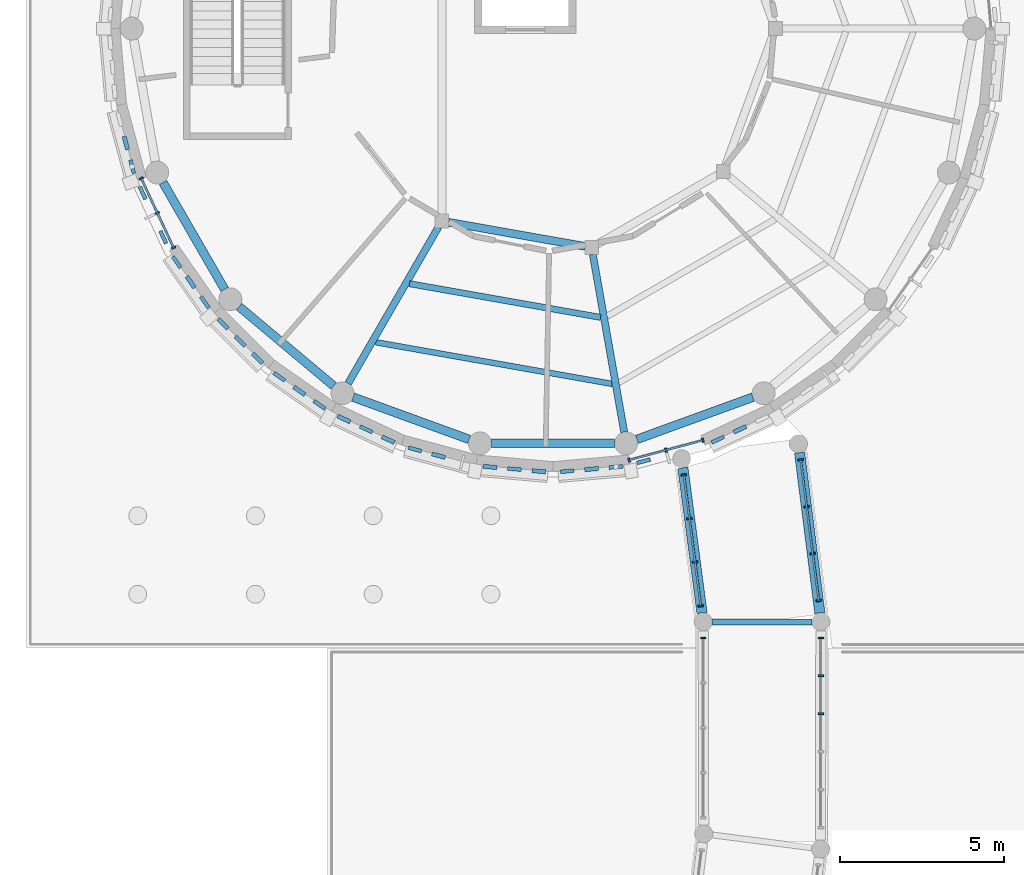
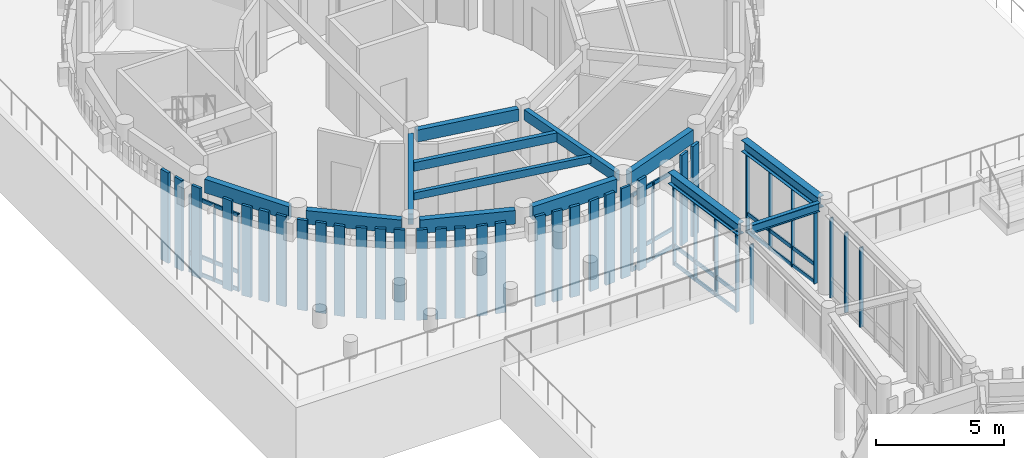
# One storey, part 20 of 94: 57 members, 13 beams, 6 elements without a shape of their own.
"""IFC4 building model written with IfcOpenShell, lengths in metres."""

from ifc_helpers import new_model, si_unit, direction, frame, origin, origin_2d, place, context, subcontext, project, spatial, rectangle, i_section, extrude, material, layer, layer_set, material_profile, profile_set, type_object, element, aggregate, save


model = new_model("IFC4")

# Units and contexts
model_context = context("Model", 3, precision=1e-05, world=origin(), true_north=direction((0.0, 1.0)))
body_context = subcontext(model_context, "Body", "Model", "MODEL_VIEW")
ifc_project = project(units=[si_unit("LENGTHUNIT", "METRE"), si_unit("AREAUNIT", "SQUARE_METRE"), si_unit("VOLUMEUNIT", "CUBIC_METRE"), si_unit("PLANEANGLEUNIT", "RADIAN"), si_unit("MASSUNIT", "GRAM", prefix="KILO")], contexts=[model_context])

# Site, building, storey
site_placement = place(None, origin())
site = spatial("IfcSite", under=ifc_project, at=site_placement, CompositionType="ELEMENT")
building_placement = place(site_placement, origin())
building = spatial("IfcBuilding", under=site, at=building_placement, Name="Aldenvaro Health Centre", CompositionType="ELEMENT")
storey_placement = place(building_placement, origin())
storey = spatial("IfcBuildingStorey", under=building, at=storey_placement, Name="L00", CompositionType="ELEMENT", Elevation=0.0)

# Beams
ifc_material_1 = material(Name="Glulam GL28h", Category="wood")
ifc_material_profile_1 = material_profile(ifc_material_1, rectangle(XDim=0.175048828125, YDim=0.35009765625, at=origin_2d()), Name="GL 175x350", Category="wood")
ifc_profile_set_1 = profile_set([ifc_material_profile_1], Name="Glulam GL28h")
beam_type_1 = type_object("IfcBeamType", Name="BM-GL-350", PredefinedType="JOIST", material=ifc_profile_set_1)
beam_1_placement = place(storey_placement, frame((13.077880859375, 89.906982421875, 4.1298828125), z_axis=(0.984808635893, -0.173643170525, 0.0), x_axis=(0.173643170525, 0.984808635893, 0.0)))
element("IfcBeam", 1, at=beam_1_placement, inside=storey, type_object=beam_type_1, Name="D4 L00 secondary joist 04.2", PredefinedType="JOIST", context=body_context, shape_type="SweptSolid", body=[
    extrude(rectangle(XDim=0.175048828125, YDim=0.35009765625, at=origin_2d()), origin(), (0.0, 0.0, 1.0), 7.34765625),
])
ifc_material_profile_2 = material_profile(ifc_material_1, rectangle(XDim=0.18994140625, YDim=0.41796875, at=origin_2d()), Name="GL 190x418", Category="wood")
ifc_profile_set_2 = profile_set([ifc_material_profile_2], Name="Glulam GL28h")
beam_type_2 = type_object("IfcBeamType", Name="BM-GL-418", PredefinedType="JOIST", material=ifc_profile_set_2)
beam_2_placement = place(storey_placement, frame((14.111083984375, 91.697021484375, 4.095947265625), z_axis=(0.98479184112, -0.173738394329, 0.0), x_axis=(0.173738394329, 0.98479184112, 0.0)))
element("IfcBeam", 2, at=beam_2_placement, inside=storey, type_object=beam_type_2, Name="D4 L00 secondary joist 04.1", PredefinedType="JOIST", context=body_context, shape_type="SweptSolid", body=[
    extrude(rectangle(XDim=0.18994140625, YDim=0.41796875, at=origin_2d()), origin(), (0.0, 0.0, 1.0), 5.934326171875),
])
ifc_material_profile_3 = material_profile(ifc_material_1, rectangle(XDim=0.215087890625, YDim=0.493896484375, at=origin_2d()), Name="GL 215x494", Category="wood")
ifc_profile_set_3 = profile_set([ifc_material_profile_3], Name="Glulam GL28h")
beam_type_3 = type_object("IfcBeamType", Name="BM-GL-494", PredefinedType="BEAM", material=ifc_profile_set_3)
beam_3_placement = place(storey_placement, frame((14.9951171875, 93.428955078125, 4.05810546875), z_axis=(-0.500035132957, -0.866005118812, 0.0), x_axis=(0.866005118812, -0.500035132957, 0.0)))
element("IfcBeam", 3, at=beam_3_placement, inside=storey, type_object=beam_type_3, Name="D4 L00 radial beam 04", PredefinedType="BEAM", context=body_context, shape_type="SweptSolid", body=[
    extrude(rectangle(XDim=0.215087890625, YDim=0.493896484375, at=origin_2d()), origin(), (0.0, 0.0, 1.0), 5.51953125),
])
beam_4_placement = place(storey_placement, frame((19.717041015625, 92.595947265625, 4.05810546875), z_axis=(0.173760098392, -0.984788011811, 0.0), x_axis=(0.984788011811, 0.173760098392, 0.0)))
element("IfcBeam", 4, at=beam_4_placement, inside=storey, type_object=beam_type_3, Name="D4 L00 radial beam 05", PredefinedType="BEAM", context=body_context, shape_type="SweptSolid", body=[
    extrude(rectangle(XDim=0.215087890625, YDim=0.493896484375, at=origin_2d()), origin(), (0.0, 0.0, 1.0), 5.51904296875),
])
ifc_material_profile_4 = material_profile(ifc_material_1, rectangle(XDim=0.239990234375, YDim=0.570068359375, at=origin_2d()), Name="GL 240x570", Category="wood")
ifc_profile_set_4 = profile_set([ifc_material_profile_4], Name="Glulam GL28h")
beam_type_4 = type_object("IfcBeamType", Name="BM-GL-570", PredefinedType="BEAM", material=ifc_profile_set_4)
beam_5_placement = place(storey_placement, frame((15.306884765625, 93.574951171875, 4.02001953125), z_axis=(0.984765548602, -0.173887360917, 0.0), x_axis=(0.173887360917, 0.984765548602, 0.0)))
element("IfcBeam", 5, at=beam_5_placement, inside=storey, type_object=beam_type_4, Name="D4 L00 inner ring beam 04", PredefinedType="BEAM", context=body_context, shape_type="SweptSolid", body=[
    extrude(rectangle(XDim=0.239990234375, YDim=0.570068359375, at=origin_2d()), origin(), (0.0, 0.0, 1.0), 4.231689453125),
])
ifc_material_profile_5 = material_profile(ifc_material_1, rectangle(XDim=0.264892578125, YDim=0.64599609375, at=origin_2d()), Name="GL 265x646", Category="wood")
ifc_profile_set_5 = profile_set([ifc_material_profile_5], Name="Glulam GL28h")
beam_type_5 = type_object("IfcBeamType", Name="BM-GL-646", PredefinedType="SPANDREL", material=ifc_profile_set_5)
beam_6_placement = place(storey_placement, frame((6.572021484375, 94.7919921875, 3.98193359375), z_axis=(0.499834477554, -0.866120947125, 0.0), x_axis=(0.866120947125, 0.499834477554, 0.0)))
element("IfcBeam", 6, at=beam_6_placement, inside=storey, type_object=beam_type_5, Name="D4 L00 perimeter spandrel 11", PredefinedType="SPANDREL", context=body_context, shape_type="SweptSolid", body=[
    extrude(rectangle(XDim=0.264892578125, YDim=0.64599609375, at=origin_2d()), origin(), (0.0, 0.0, 1.0), 3.773193359375),
])
beam_7_placement = place(storey_placement, frame((8.90087890625, 90.99609375, 3.98193359375), z_axis=(0.766159686965, -0.64265024241, 0.0), x_axis=(0.64265024241, 0.766159686965, 0.0)))
element("IfcBeam", 7, at=beam_7_placement, inside=storey, type_object=beam_type_5, Name="D4 L00 perimeter spandrel 12", PredefinedType="SPANDREL", context=body_context, shape_type="SweptSolid", body=[
    extrude(rectangle(XDim=0.264892578125, YDim=0.64599609375, at=origin_2d()), origin(), (0.0, 0.0, 1.0), 3.7734375),
])
beam_8_placement = place(storey_placement, frame((12.388916015625, 88.22607421875, 3.98193359375), z_axis=(0.939717821643, -0.341950896602, 0.0), x_axis=(0.341950896602, 0.939717821643, 0.0)))
element("IfcBeam", 8, at=beam_8_placement, inside=storey, type_object=beam_type_5, Name="D4 L00 perimeter spandrel 13", PredefinedType="SPANDREL", context=body_context, shape_type="SweptSolid", body=[
    extrude(rectangle(XDim=0.264892578125, YDim=0.64599609375, at=origin_2d()), origin(), (0.0, 0.0, 1.0), 3.772705078125),
])
beam_9_placement = place(storey_placement, frame((16.613037109375, 86.81591796875, 3.98193359375), z_axis=(1.0, 0.0, 0.0), x_axis=(0.0, 1.0, 0.0)))
element("IfcBeam", 9, at=beam_9_placement, inside=storey, type_object=beam_type_5, Name="D4 L00 perimeter spandrel 14", PredefinedType="SPANDREL", context=body_context, shape_type="SweptSolid", body=[
    extrude(rectangle(XDim=0.264892578125, YDim=0.64599609375, at=origin_2d()), origin(), (0.0, 0.0, 1.0), 3.77392578125),
])
beam_10_placement = place(storey_placement, frame((21.06591796875, 86.93603515625, 3.98193359375), z_axis=(0.939717821643, 0.341950896602, 0.0), x_axis=(-0.341950896602, 0.939717821643, 0.0)))
element("IfcBeam", 10, at=beam_10_placement, inside=storey, type_object=beam_type_5, Name="D4 L00 perimeter spandrel 15", PredefinedType="SPANDREL", context=body_context, shape_type="SweptSolid", body=[
    extrude(rectangle(XDim=0.264892578125, YDim=0.64599609375, at=origin_2d()), origin(), (0.0, 0.0, 1.0), 3.772705078125),
])
ifc_material_2 = material(Name="Steel ASTM A992 Grade 50", Category="steel")
ifc_material_profile_6 = material_profile(ifc_material_2, i_section(OverallWidth=0.180908203125, OverallDepth=0.4169921875, WebThickness=0.010986328125, FlangeThickness=0.018310546875, at=origin_2d()), Name="W16X57", Category="steel")
ifc_profile_set_6 = profile_set([ifc_material_profile_6], Name="Steel ASTM A992 Grade 50")
beam_type_6 = type_object("IfcBeamType", Name="BM-ST-W16E", PredefinedType="JOIST", material=ifc_profile_set_6)
beam_11_placement = place(storey_placement, frame((23.367919921875, 81.35693359375, 4.135986328125), z_axis=(1.0, 0.0, 0.0), x_axis=(0.0, 1.0, 0.0)))
element("IfcBeam", 11, at=beam_11_placement, inside=storey, type_object=beam_type_6, Name="West North Curved Garden Walkway Arc 2 L00 cross beam 2", PredefinedType="JOIST", context=body_context, shape_type="SweptSolid", body=[
    extrude(i_section(OverallWidth=0.180908203125, OverallDepth=0.4169921875, WebThickness=0.010986328125, FlangeThickness=0.018310546875, at=origin_2d()), origin(), (0.0, 0.0, 1.0), 3.050048828125),
])
ifc_material_profile_7 = material_profile(ifc_material_2, i_section(OverallWidth=0.31201171875, OverallDepth=0.54296875, WebThickness=0.0126953125, FlangeThickness=0.020263671875, at=origin_2d()), Name="W21X101", Category="steel")
ifc_profile_set_7 = profile_set([ifc_material_profile_7], Name="Steel ASTM A992 Grade 50")
beam_type_7 = type_object("IfcBeamType", Name="BM-ST-W21E", PredefinedType="BEAM", material=ifc_profile_set_7)
beam_12_placement = place(storey_placement, frame((23.056884765625, 81.6298828125, 4.073974609375), z_axis=(-0.130642100279, 0.991429594896, 0.0), x_axis=(-0.991429594896, -0.130642100279, 0.0)))
element("IfcBeam", 12, at=beam_12_placement, inside=storey, type_object=beam_type_7, Name="West North Curved Garden Walkway Arc 3 L00 girder L-1", PredefinedType="BEAM", context=body_context, shape_type="SweptSolid", body=[
    extrude(i_section(OverallWidth=0.31201171875, OverallDepth=0.54296875, WebThickness=0.0126953125, FlangeThickness=0.020263671875, at=origin_2d()), origin(), (0.0, 0.0, 1.0), 4.4775390625),
])
beam_13_placement = place(storey_placement, frame((26.658935546875, 81.6298828125, 4.073974609375), z_axis=(-0.125330720713, 0.992115018758, 0.0), x_axis=(-0.992115018758, -0.125330720713, 0.0)))
element("IfcBeam", 13, at=beam_13_placement, inside=storey, type_object=beam_type_7, Name="West North Curved Garden Walkway Arc 3 L00 girder R-1", PredefinedType="BEAM", context=body_context, shape_type="SweptSolid", body=[
    extrude(i_section(OverallWidth=0.31201171875, OverallDepth=0.54296875, WebThickness=0.0126953125, FlangeThickness=0.020263671875, at=origin_2d()), origin(), (0.0, 0.0, 1.0), 4.93798828125),
])

# Curtain wall, members
ifc_material_3 = material(Name="Anodised Aluminium 6063-T6", Category="aluminium")
ifc_layer_1 = layer(ifc_material_3, 0.195068359375, Name="Anodised Aluminium 6063-T6", Category="aluminium")
ifc_layer_set_1 = layer_set([ifc_layer_1], Name="Anodised Aluminium 6063-T6")
curtain_wall_type_1 = type_object("IfcCurtainWallType", Name="CW-CLN-02", PredefinedType="NOTDEFINED", material=ifc_layer_set_1)
curtain_wall_1_placement = place(storey_placement, origin())
curtain_wall_1 = element("IfcCurtainWall", 14, at=curtain_wall_1_placement, inside=storey, type_object=curtain_wall_type_1, Name="D4 L00 curtain wall bay 08", PredefinedType="NOTDEFINED")
ifc_material_profile_8 = material_profile(ifc_material_3, rectangle(XDim=0.06005859375, YDim=0.135009765625, at=origin_2d()), Name="ALU 60x135", Category="aluminium")
ifc_profile_set_8 = profile_set([ifc_material_profile_8], Name="Anodised Aluminium 6063-T6")
member_type_1 = type_object("IfcMemberType", Name="CWM-150", PredefinedType="MULLION", material=ifc_profile_set_8)
member_1_placement = place(storey_placement, frame((23.0830078125, 86.907958984375, 0.0), z_axis=(0.0, 0.0, 1.0), x_axis=(-0.965978620089, -0.258621935517, 0.0)))
member_1 = element("IfcMember", 15, at=member_1_placement, type_object=member_type_1, Name="D4 L00 curtain wall bay 08 mullion 1", PredefinedType="MULLION", context=body_context, shape_type="SweptSolid", body=[
    extrude(rectangle(XDim=0.06005859375, YDim=0.135009765625, at=origin_2d()), origin(), (0.0, 0.0, 1.0), 3.658935546875),
])
member_2_placement = place(storey_placement, frame((21.955078125, 86.60595703125, 0.0), z_axis=(0.0, 0.0, 1.0), x_axis=(-0.965978620089, -0.258621935517, 0.0)))
member_2 = element("IfcMember", 16, at=member_2_placement, type_object=member_type_1, Name="D4 L00 curtain wall bay 08 mullion 2", PredefinedType="MULLION", context=body_context, shape_type="SweptSolid", body=[
    extrude(rectangle(XDim=0.06005859375, YDim=0.135009765625, at=origin_2d()), origin(), (0.0, 0.0, 1.0), 3.658935546875),
])
member_3_placement = place(storey_placement, frame((20.826904296875, 86.303955078125, 0.0), z_axis=(0.0, 0.0, 1.0), x_axis=(-0.965978620089, -0.258621935517, 0.0)))
member_3 = element("IfcMember", 17, at=member_3_placement, type_object=member_type_1, Name="D4 L00 curtain wall bay 08 mullion 3", PredefinedType="MULLION", context=body_context, shape_type="SweptSolid", body=[
    extrude(rectangle(XDim=0.06005859375, YDim=0.135009765625, at=origin_2d()), origin(), (0.0, 0.0, 1.0), 3.658935546875),
])

curtain_wall_2_placement = place(storey_placement, origin())
curtain_wall_2 = element("IfcCurtainWall", 18, at=curtain_wall_2_placement, inside=storey, type_object=curtain_wall_type_1, Name="D4 L00 curtain wall bay 16", PredefinedType="NOTDEFINED")
member_4_placement = place(storey_placement, frame((6.89501953125, 92.800048828125, 0.0), z_axis=(0.0, 0.0, 1.0), x_axis=(-0.422557314215, 0.90633620484, 0.0)))
member_4 = element("IfcMember", 19, at=member_4_placement, type_object=member_type_1, Name="D4 L00 curtain wall bay 16 mullion 1", PredefinedType="MULLION", context=body_context, shape_type="SweptSolid", body=[
    extrude(rectangle(XDim=0.06005859375, YDim=0.135009765625, at=origin_2d()), origin(), (0.0, 0.0, 1.0), 3.658935546875),
])
member_5_placement = place(storey_placement, frame((6.402099609375, 93.85791015625, 0.0), z_axis=(0.0, 0.0, 1.0), x_axis=(-0.422557314215, 0.90633620484, 0.0)))
member_5 = element("IfcMember", 20, at=member_5_placement, type_object=member_type_1, Name="D4 L00 curtain wall bay 16 mullion 2", PredefinedType="MULLION", context=body_context, shape_type="SweptSolid", body=[
    extrude(rectangle(XDim=0.06005859375, YDim=0.135009765625, at=origin_2d()), origin(), (0.0, 0.0, 1.0), 3.658935546875),
])
member_6_placement = place(storey_placement, frame((5.907958984375, 94.9169921875, 0.0), z_axis=(0.0, 0.0, 1.0), x_axis=(-0.422557314215, 0.90633620484, 0.0)))
member_6 = element("IfcMember", 21, at=member_6_placement, type_object=member_type_1, Name="D4 L00 curtain wall bay 16 mullion 3", PredefinedType="MULLION", context=body_context, shape_type="SweptSolid", body=[
    extrude(rectangle(XDim=0.06005859375, YDim=0.135009765625, at=origin_2d()), origin(), (0.0, 0.0, 1.0), 3.658935546875),
])

# Curtain wall, member
ifc_layer_2 = layer(ifc_material_3, 0.2099609375, Name="Anodised Aluminium 6063-T6", Category="aluminium")
ifc_layer_set_2 = layer_set([ifc_layer_2], Name="Anodised Aluminium 6063-T6")
curtain_wall_type_2 = type_object("IfcCurtainWallType", Name="CW-BRG-03", PredefinedType="NOTDEFINED", material=ifc_layer_set_2)
curtain_wall_3_placement = place(storey_placement, origin())
curtain_wall_3 = element("IfcCurtainWall", 22, at=curtain_wall_3_placement, inside=storey, type_object=curtain_wall_type_2, Name="West North Curved Garden Walkway Arc 2 L00 glazed link wall L-1.1", PredefinedType="NOTDEFINED")
ifc_material_profile_9 = material_profile(ifc_material_3, rectangle(XDim=0.06005859375, YDim=0.159912109375, at=origin_2d()), Name="ALU 60x160", Category="aluminium")
ifc_profile_set_9 = profile_set([ifc_material_profile_9], Name="Anodised Aluminium 6063-T6")
member_type_2 = type_object("IfcMemberType", Name="CWM-180", PredefinedType="MULLION", material=ifc_profile_set_9)
member_7_placement = place(storey_placement, frame((23.093017578125, 80.862060546875, 0.0), z_axis=(0.0, 0.0, 1.0), x_axis=(0.0, 1.0, 0.0)))
member_7 = element("IfcMember", 23, at=member_7_placement, type_object=member_type_2, Name="West North Curved Garden Walkway Arc 2 L00 glazed link wall L-1.1 mullion 5", PredefinedType="MULLION", context=body_context, shape_type="SweptSolid", body=[
    extrude(rectangle(XDim=0.06005859375, YDim=0.159912109375, at=origin_2d()), origin(), (0.0, 0.0, 1.0), 3.804931640625),
])
aggregate(curtain_wall_3, [member_7])

# Curtain wall, members
curtain_wall_4_placement = place(storey_placement, origin())
curtain_wall_4 = element("IfcCurtainWall", 24, at=curtain_wall_4_placement, inside=storey, type_object=curtain_wall_type_2, Name="West North Curved Garden Walkway Arc 2 L00 glazed link wall R-1.1", PredefinedType="NOTDEFINED")
member_8_placement = place(storey_placement, frame((26.693115234375, 78.5419921875, 0.0), z_axis=(0.0, 0.0, 1.0), x_axis=(0.0, 1.0, 0.0)))
member_8 = element("IfcMember", 25, at=member_8_placement, type_object=member_type_2, Name="West North Curved Garden Walkway Arc 2 L00 glazed link wall R-1.1 mullion 4", PredefinedType="MULLION", context=body_context, shape_type="SweptSolid", body=[
    extrude(rectangle(XDim=0.06005859375, YDim=0.159912109375, at=origin_2d()), origin(), (0.0, 0.0, 1.0), 3.804931640625),
])
member_9_placement = place(storey_placement, frame((26.693115234375, 79.701904296875, 0.0), z_axis=(0.0, 0.0, 1.0), x_axis=(0.0, 1.0, 0.0)))
member_9 = element("IfcMember", 26, at=member_9_placement, type_object=member_type_2, Name="West North Curved Garden Walkway Arc 2 L00 glazed link wall R-1.1 mullion 5", PredefinedType="MULLION", context=body_context, shape_type="SweptSolid", body=[
    extrude(rectangle(XDim=0.06005859375, YDim=0.159912109375, at=origin_2d()), origin(), (0.0, 0.0, 1.0), 3.804931640625),
])
member_10_placement = place(storey_placement, frame((26.693115234375, 80.862060546875, 0.0), z_axis=(0.0, 0.0, 1.0), x_axis=(0.0, 1.0, 0.0)))
member_10 = element("IfcMember", 27, at=member_10_placement, type_object=member_type_2, Name="West North Curved Garden Walkway Arc 2 L00 glazed link wall R-1.1 mullion 6", PredefinedType="MULLION", context=body_context, shape_type="SweptSolid", body=[
    extrude(rectangle(XDim=0.06005859375, YDim=0.159912109375, at=origin_2d()), origin(), (0.0, 0.0, 1.0), 3.804931640625),
])
aggregate(curtain_wall_4, [member_8, member_9, member_10])

curtain_wall_5_placement = place(storey_placement, origin())
curtain_wall_5 = element("IfcCurtainWall", 28, at=curtain_wall_5_placement, inside=storey, type_object=curtain_wall_type_2, Name="West North Curved Garden Walkway Arc 3 L00 glazed link wall L-1.1", PredefinedType="NOTDEFINED")
member_11_placement = place(storey_placement, frame((23.014892578125, 81.844970703125, 0.0), z_axis=(0.0, 0.0, 1.0), x_axis=(-0.127720013925, 0.991810263126, 0.0)))
member_11 = element("IfcMember", 29, at=member_11_placement, type_object=member_type_2, Name="West North Curved Garden Walkway Arc 3 L00 glazed link wall L-1.1 mullion 1", PredefinedType="MULLION", context=body_context, shape_type="SweptSolid", body=[
    extrude(rectangle(XDim=0.06005859375, YDim=0.159912109375, at=origin_2d()), origin(), (0.0, 0.0, 1.0), 3.804931640625),
])
member_12_placement = place(storey_placement, frame((22.843017578125, 83.180908203125, 0.0), z_axis=(0.0, 0.0, 1.0), x_axis=(-0.127720013925, 0.991810263126, 0.0)))
member_12 = element("IfcMember", 30, at=member_12_placement, type_object=member_type_2, Name="West North Curved Garden Walkway Arc 3 L00 glazed link wall L-1.1 mullion 2", PredefinedType="MULLION", context=body_context, shape_type="SweptSolid", body=[
    extrude(rectangle(XDim=0.06005859375, YDim=0.159912109375, at=origin_2d()), origin(), (0.0, 0.0, 1.0), 3.804931640625),
])
member_13_placement = place(storey_placement, frame((22.6708984375, 84.51611328125, 0.0), z_axis=(0.0, 0.0, 1.0), x_axis=(-0.127720013925, 0.991810263126, 0.0)))
member_13 = element("IfcMember", 31, at=member_13_placement, type_object=member_type_2, Name="West North Curved Garden Walkway Arc 3 L00 glazed link wall L-1.1 mullion 3", PredefinedType="MULLION", context=body_context, shape_type="SweptSolid", body=[
    extrude(rectangle(XDim=0.06005859375, YDim=0.159912109375, at=origin_2d()), origin(), (0.0, 0.0, 1.0), 3.804931640625),
])
member_14_placement = place(storey_placement, frame((22.4990234375, 85.85205078125, 0.0), z_axis=(0.0, 0.0, 1.0), x_axis=(-0.127720013925, 0.991810263126, 0.0)))
member_14 = element("IfcMember", 32, at=member_14_placement, type_object=member_type_2, Name="West North Curved Garden Walkway Arc 3 L00 glazed link wall L-1.1 mullion 4", PredefinedType="MULLION", context=body_context, shape_type="SweptSolid", body=[
    extrude(rectangle(XDim=0.06005859375, YDim=0.159912109375, at=origin_2d()), origin(), (0.0, 0.0, 1.0), 3.804931640625),
])

curtain_wall_6_placement = place(storey_placement, origin())
curtain_wall_6 = element("IfcCurtainWall", 33, at=curtain_wall_6_placement, inside=storey, type_object=curtain_wall_type_2, Name="West North Curved Garden Walkway Arc 3 L00 glazed link wall R-1.1", PredefinedType="NOTDEFINED")
member_15_placement = place(storey_placement, frame((26.625, 82.00390625, 0.0), z_axis=(0.0, 0.0, 1.0), x_axis=(-0.127774101566, 0.99180329651, 0.0)))
member_15 = element("IfcMember", 34, at=member_15_placement, type_object=member_type_2, Name="West North Curved Garden Walkway Arc 3 L00 glazed link wall R-1.1 mullion 1", PredefinedType="MULLION", context=body_context, shape_type="SweptSolid", body=[
    extrude(rectangle(XDim=0.06005859375, YDim=0.159912109375, at=origin_2d()), origin(), (0.0, 0.0, 1.0), 3.804931640625),
])
member_16_placement = place(storey_placement, frame((26.43994140625, 83.43994140625, 0.0), z_axis=(0.0, 0.0, 1.0), x_axis=(-0.127774101566, 0.99180329651, 0.0)))
member_16 = element("IfcMember", 35, at=member_16_placement, type_object=member_type_2, Name="West North Curved Garden Walkway Arc 3 L00 glazed link wall R-1.1 mullion 2", PredefinedType="MULLION", context=body_context, shape_type="SweptSolid", body=[
    extrude(rectangle(XDim=0.06005859375, YDim=0.159912109375, at=origin_2d()), origin(), (0.0, 0.0, 1.0), 3.804931640625),
])
member_17_placement = place(storey_placement, frame((26.2548828125, 84.8759765625, 0.0), z_axis=(0.0, 0.0, 1.0), x_axis=(-0.127774101566, 0.99180329651, 0.0)))
member_17 = element("IfcMember", 36, at=member_17_placement, type_object=member_type_2, Name="West North Curved Garden Walkway Arc 3 L00 glazed link wall R-1.1 mullion 3", PredefinedType="MULLION", context=body_context, shape_type="SweptSolid", body=[
    extrude(rectangle(XDim=0.06005859375, YDim=0.159912109375, at=origin_2d()), origin(), (0.0, 0.0, 1.0), 3.804931640625),
])
member_18_placement = place(storey_placement, frame((26.070068359375, 86.31201171875, 0.0), z_axis=(0.0, 0.0, 1.0), x_axis=(-0.127774101566, 0.99180329651, 0.0)))
member_18 = element("IfcMember", 37, at=member_18_placement, type_object=member_type_2, Name="West North Curved Garden Walkway Arc 3 L00 glazed link wall R-1.1 mullion 4", PredefinedType="MULLION", context=body_context, shape_type="SweptSolid", body=[
    extrude(rectangle(XDim=0.06005859375, YDim=0.159912109375, at=origin_2d()), origin(), (0.0, 0.0, 1.0), 3.804931640625),
])

# Member
ifc_material_profile_10 = material_profile(ifc_material_3, rectangle(XDim=0.06494140625, YDim=0.179931640625, at=origin_2d()), Name="ALU 65x180", Category="aluminium")
ifc_profile_set_10 = profile_set([ifc_material_profile_10], Name="Anodised Aluminium 6063-T6")
member_type_3 = type_object("IfcMemberType", Name="CWT-150", PredefinedType="USERDEFINED", material=ifc_profile_set_10)
member_19_placement = place(storey_placement, frame((23.0830078125, 86.907958984375, 0.06005859375), z_axis=(-0.965981166673, -0.258612423585, 0.0), x_axis=(0.258612423585, -0.965981166673, 0.0)))
member_19 = element("IfcMember", 38, at=member_19_placement, type_object=member_type_3, Name="D4 L00 curtain wall bay 08 transom 1", ObjectType="TRANSOM", PredefinedType="USERDEFINED", context=body_context, shape_type="SweptSolid", body=[
    extrude(rectangle(XDim=0.06494140625, YDim=0.179931640625, at=origin_2d()), origin(), (0.0, 0.0, 1.0), 2.33544921875),
])

member_20_placement = place(storey_placement, frame((23.0830078125, 86.907958984375, 0.89990234375), z_axis=(-0.965981166673, -0.258612423585, 0.0), x_axis=(0.258612423585, -0.965981166673, 0.0)))
member_20 = element("IfcMember", 39, at=member_20_placement, type_object=member_type_3, Name="D4 L00 curtain wall bay 08 transom 2", ObjectType="TRANSOM", PredefinedType="USERDEFINED", context=body_context, shape_type="SweptSolid", body=[
    extrude(rectangle(XDim=0.06494140625, YDim=0.179931640625, at=origin_2d()), origin(), (0.0, 0.0, 1.0), 2.33544921875),
])

member_21_placement = place(storey_placement, frame((23.0830078125, 86.907958984375, 3.59912109375), z_axis=(-0.965981166673, -0.258612423585, 0.0), x_axis=(0.258612423585, -0.965981166673, 0.0)))
member_21 = element("IfcMember", 40, at=member_21_placement, type_object=member_type_3, Name="D4 L00 curtain wall bay 08 transom 3", ObjectType="TRANSOM", PredefinedType="USERDEFINED", context=body_context, shape_type="SweptSolid", body=[
    extrude(rectangle(XDim=0.06494140625, YDim=0.179931640625, at=origin_2d()), origin(), (0.0, 0.0, 1.0), 2.33544921875),
])

aggregate(curtain_wall_1, [member_1, member_2, member_3, member_19, member_20, member_21])

member_22_placement = place(storey_placement, frame((6.89501953125, 92.800048828125, 0.06005859375), z_axis=(-0.422587894318, 0.906321946979, 0.0), x_axis=(-0.906321946979, -0.422587894318, 0.0)))
member_22 = element("IfcMember", 41, at=member_22_placement, type_object=member_type_3, Name="D4 L00 curtain wall bay 16 transom 1", ObjectType="TRANSOM", PredefinedType="USERDEFINED", context=body_context, shape_type="SweptSolid", body=[
    extrude(rectangle(XDim=0.06494140625, YDim=0.179931640625, at=origin_2d()), origin(), (0.0, 0.0, 1.0), 2.335693359375),
])

member_23_placement = place(storey_placement, frame((6.89501953125, 92.800048828125, 0.89990234375), z_axis=(-0.422587894318, 0.906321946979, 0.0), x_axis=(-0.906321946979, -0.422587894318, 0.0)))
member_23 = element("IfcMember", 42, at=member_23_placement, type_object=member_type_3, Name="D4 L00 curtain wall bay 16 transom 2", ObjectType="TRANSOM", PredefinedType="USERDEFINED", context=body_context, shape_type="SweptSolid", body=[
    extrude(rectangle(XDim=0.06494140625, YDim=0.179931640625, at=origin_2d()), origin(), (0.0, 0.0, 1.0), 2.335693359375),
])

member_24_placement = place(storey_placement, frame((6.89501953125, 92.800048828125, 3.59912109375), z_axis=(-0.422587894318, 0.906321946979, 0.0), x_axis=(-0.906321946979, -0.422587894318, 0.0)))
member_24 = element("IfcMember", 43, at=member_24_placement, type_object=member_type_3, Name="D4 L00 curtain wall bay 16 transom 3", ObjectType="TRANSOM", PredefinedType="USERDEFINED", context=body_context, shape_type="SweptSolid", body=[
    extrude(rectangle(XDim=0.06494140625, YDim=0.179931640625, at=origin_2d()), origin(), (0.0, 0.0, 1.0), 2.335693359375),
])

aggregate(curtain_wall_2, [member_4, member_5, member_6, member_22, member_23, member_24])

member_25_placement = place(storey_placement, frame((23.014892578125, 81.844970703125, 0.06005859375), z_axis=(-0.127685641712, 0.991814688791, 0.0), x_axis=(-0.991814688791, -0.127685641712, 0.0)))
member_25 = element("IfcMember", 44, at=member_25_placement, type_object=member_type_3, Name="West North Curved Garden Walkway Arc 3 L00 glazed link wall L-1.1 transom 1", ObjectType="TRANSOM", PredefinedType="USERDEFINED", context=body_context, shape_type="SweptSolid", body=[
    extrude(rectangle(XDim=0.06494140625, YDim=0.179931640625, at=origin_2d()), origin(), (0.0, 0.0, 1.0), 4.0400390625),
])

member_26_placement = place(storey_placement, frame((23.014892578125, 81.844970703125, 0.89990234375), z_axis=(-0.127685641712, 0.991814688791, 0.0), x_axis=(-0.991814688791, -0.127685641712, 0.0)))
member_26 = element("IfcMember", 45, at=member_26_placement, type_object=member_type_3, Name="West North Curved Garden Walkway Arc 3 L00 glazed link wall L-1.1 transom 2", ObjectType="TRANSOM", PredefinedType="USERDEFINED", context=body_context, shape_type="SweptSolid", body=[
    extrude(rectangle(XDim=0.06494140625, YDim=0.179931640625, at=origin_2d()), origin(), (0.0, 0.0, 1.0), 4.0400390625),
])

member_27_placement = place(storey_placement, frame((23.014892578125, 81.844970703125, 3.7451171875), z_axis=(-0.127685641712, 0.991814688791, 0.0), x_axis=(-0.991814688791, -0.127685641712, 0.0)))
member_27 = element("IfcMember", 46, at=member_27_placement, type_object=member_type_3, Name="West North Curved Garden Walkway Arc 3 L00 glazed link wall L-1.1 transom 3", ObjectType="TRANSOM", PredefinedType="USERDEFINED", context=body_context, shape_type="SweptSolid", body=[
    extrude(rectangle(XDim=0.06494140625, YDim=0.179931640625, at=origin_2d()), origin(), (0.0, 0.0, 1.0), 4.0400390625),
])

aggregate(curtain_wall_5, [member_11, member_12, member_13, member_14, member_25, member_26, member_27])

member_28_placement = place(storey_placement, frame((26.625, 82.00390625, 0.06005859375), z_axis=(-0.127755543853, 0.991805687126, 0.0), x_axis=(-0.991805687126, -0.127755543853, 0.0)))
member_28 = element("IfcMember", 47, at=member_28_placement, type_object=member_type_3, Name="West North Curved Garden Walkway Arc 3 L00 glazed link wall R-1.1 transom 1", ObjectType="TRANSOM", PredefinedType="USERDEFINED", context=body_context, shape_type="SweptSolid", body=[
    extrude(rectangle(XDim=0.06494140625, YDim=0.179931640625, at=origin_2d()), origin(), (0.0, 0.0, 1.0), 4.34375),
])

member_29_placement = place(storey_placement, frame((26.625, 82.00390625, 0.89990234375), z_axis=(-0.127755543853, 0.991805687126, 0.0), x_axis=(-0.991805687126, -0.127755543853, 0.0)))
member_29 = element("IfcMember", 48, at=member_29_placement, type_object=member_type_3, Name="West North Curved Garden Walkway Arc 3 L00 glazed link wall R-1.1 transom 2", ObjectType="TRANSOM", PredefinedType="USERDEFINED", context=body_context, shape_type="SweptSolid", body=[
    extrude(rectangle(XDim=0.06494140625, YDim=0.179931640625, at=origin_2d()), origin(), (0.0, 0.0, 1.0), 4.34375),
])

member_30_placement = place(storey_placement, frame((26.625, 82.00390625, 3.7451171875), z_axis=(-0.127755543853, 0.991805687126, 0.0), x_axis=(-0.991805687126, -0.127755543853, 0.0)))
member_30 = element("IfcMember", 49, at=member_30_placement, type_object=member_type_3, Name="West North Curved Garden Walkway Arc 3 L00 glazed link wall R-1.1 transom 3", ObjectType="TRANSOM", PredefinedType="USERDEFINED", context=body_context, shape_type="SweptSolid", body=[
    extrude(rectangle(XDim=0.06494140625, YDim=0.179931640625, at=origin_2d()), origin(), (0.0, 0.0, 1.0), 4.34375),
])

aggregate(curtain_wall_6, [member_15, member_16, member_17, member_18, member_28, member_29, member_30])

# Members
ifc_material_profile_11 = material_profile(ifc_material_1, rectangle(XDim=0.114990234375, YDim=0.419921875, at=origin_2d()), Name="GL 115x420", Category="wood")
ifc_profile_set_11 = profile_set([ifc_material_profile_11], Name="Glulam GL28h")
member_type_4 = type_object("IfcMemberType", Name="MEM-SLT-420A", PredefinedType="POST", material=ifc_profile_set_11)
for number, where, z_axis, x_axis, name in (
    (50, (23.5380859375, 86.927001953125, 0.0), (0.0, 0.0, 1.0), (0.422557314215, -0.90633620484, 0.0), "D4 L00 vertical timber slat 7.3"),
    (51, (21.27197265625, 86.26806640625, 0.0), (0.0, 0.0, 1.0), (0.258621935517, -0.965978620089, 0.0), "D4 L00 curtain mullion timber slat 8"),
    (52, (20.424072265625, 86.093017578125, 0.0), (0.0, 0.0, 1.0), (0.087331575855, -0.996179299052, 0.0), "D4 L00 vertical timber slat 9.1"),
    (53, (18.93408203125, 85.9619140625, 0.0), (0.0, 0.0, 1.0), (0.087331575855, -0.996179299052, 0.0), "D4 L00 vertical timber slat 9.3"),
    (54, (17.321044921875, 86.028076171875, 0.0), (0.0, 0.0, 1.0), (-0.087331575855, -0.996179299052, 0.0), "D4 L00 vertical timber slat 10.2"),
    (55, (14.277099609375, 86.6298828125, 0.0), (0.0, 0.0, 1.0), (-0.258621935517, -0.965978620089, 0.0), "D4 L00 vertical timber slat 11.3"),
    (56, (12.784912109375, 87.242919921875, 0.0), (0.0, 0.0, 1.0), (-0.422557314215, -0.90633620484, 0.0), "D4 L00 vertical timber slat 12.2"),
    (57, (11.35595703125, 87.992919921875, 0.0), (0.0, 0.0, 1.0), (-0.573720929857, -0.819050849853, 0.0), "D4 L00 vertical timber slat 13.1"),
    (58, (10.131103515625, 88.85107421875, 0.0), (0.0, 0.0, 1.0), (-0.573720929857, -0.819050849853, 0.0), "D4 L00 vertical timber slat 13.3"),
    (59, (8.93701171875, 89.93701171875, 0.0), (0.0, 0.0, 1.0), (-0.707106781187, -0.707106781187, 0.0), "D4 L00 vertical timber slat 14.2"),
    (60, (7.85107421875, 91.131103515625, 0.0), (0.0, 0.0, 1.0), (-0.819050849853, -0.573720929857, 0.0), "D4 L00 vertical timber slat 15.1"),
    (61, (6.992919921875, 92.35595703125, 0.0), (0.0, 0.0, 1.0), (-0.819050849853, -0.573720929857, 0.0), "D4 L00 vertical timber slat 15.3"),
    (62, (6.5810546875, 93.117919921875, 0.0), (0.0, 0.0, 1.0), (-0.90633620484, -0.422557314215, 0.0), "D4 L00 curtain mullion timber slat 16"),
    (63, (5.949951171875, 94.472900390625, 0.0), (0.0, 0.0, 1.0), (-0.90633620484, -0.422557314215, 0.0), "D4 L00 curtain mullion timber slat 16"),
    (64, (5.6298828125, 95.277099609375, 0.0), (0.0, 0.0, 1.0), (-0.965978620089, -0.258621935517, 0.0), "D4 L00 vertical timber slat 17.1"),
):
    element("IfcMember", number, at=place(storey_placement, frame(where, z_axis=z_axis, x_axis=x_axis)), inside=storey, type_object=member_type_4, Name=name, PredefinedType="POST", context=body_context, shape_type="SweptSolid", body=[
        extrude(rectangle(XDim=0.114990234375, YDim=0.419921875, at=origin_2d()), origin(), (0.0, 0.0, 1.0), 4.304931640625),
    ])
ifc_material_profile_12 = material_profile(ifc_material_1, rectangle(XDim=0.1298828125, YDim=0.419921875, at=origin_2d()), Name="GL 130x420", Category="wood")
ifc_profile_set_12 = profile_set([ifc_material_profile_12], Name="Glulam GL28h")
member_type_5 = type_object("IfcMemberType", Name="MEM-SLT-420B", PredefinedType="POST", material=ifc_profile_set_12)
for number, where, z_axis, x_axis, name in (
    (65, (24.215087890625, 87.242919921875, 0.0), (0.0, 0.0, 1.0), (0.422557314215, -0.90633620484, 0.0), "D4 L00 vertical timber slat 7.2"),
    (66, (19.678955078125, 86.028076171875, 0.0), (0.0, 0.0, 1.0), (0.087331575855, -0.996179299052, 0.0), "D4 L00 vertical timber slat 9.2"),
    (67, (18.06591796875, 85.9619140625, 0.0), (0.0, 0.0, 1.0), (-0.087331575855, -0.996179299052, 0.0), "D4 L00 vertical timber slat 10.1"),
    (68, (16.575927734375, 86.093017578125, 0.0), (0.0, 0.0, 1.0), (-0.087331575855, -0.996179299052, 0.0), "D4 L00 vertical timber slat 10.3"),
    (69, (15.0, 86.43701171875, 0.0), (0.0, 0.0, 1.0), (-0.258621935517, -0.965978620089, 0.0), "D4 L00 vertical timber slat 11.2"),
    (70, (13.4619140625, 86.927001953125, 0.0), (0.0, 0.0, 1.0), (-0.422557314215, -0.90633620484, 0.0), "D4 L00 vertical timber slat 12.1"),
    (71, (12.10693359375, 87.55908203125, 0.0), (0.0, 0.0, 1.0), (-0.422557314215, -0.90633620484, 0.0), "D4 L00 vertical timber slat 12.3"),
    (72, (10.742919921875, 88.422119140625, 0.0), (0.0, 0.0, 1.0), (-0.573720929857, -0.819050849853, 0.0), "D4 L00 vertical timber slat 13.2"),
    (73, (9.466064453125, 89.407958984375, 0.0), (0.0, 0.0, 1.0), (-0.707106781187, -0.707106781187, 0.0), "D4 L00 vertical timber slat 14.1"),
    (74, (8.407958984375, 90.466064453125, 0.0), (0.0, 0.0, 1.0), (-0.707106781187, -0.707106781187, 0.0), "D4 L00 vertical timber slat 14.3"),
    (75, (7.422119140625, 91.742919921875, 0.0), (0.0, 0.0, 1.0), (-0.819050849853, -0.573720929857, 0.0), "D4 L00 vertical timber slat 15.2"),
    (76, (5.43701171875, 96.0, 0.0), (0.0, 0.0, 1.0), (-0.965978620089, -0.258621935517, 0.0), "D4 L00 vertical timber slat 17.2"),
):
    element("IfcMember", number, at=place(storey_placement, frame(where, z_axis=z_axis, x_axis=x_axis)), inside=storey, type_object=member_type_5, Name=name, PredefinedType="POST", context=body_context, shape_type="SweptSolid", body=[
        extrude(rectangle(XDim=0.1298828125, YDim=0.419921875, at=origin_2d()), origin(), (0.0, 0.0, 1.0), 4.304931640625),
    ])

save(model, "model.ifc")
